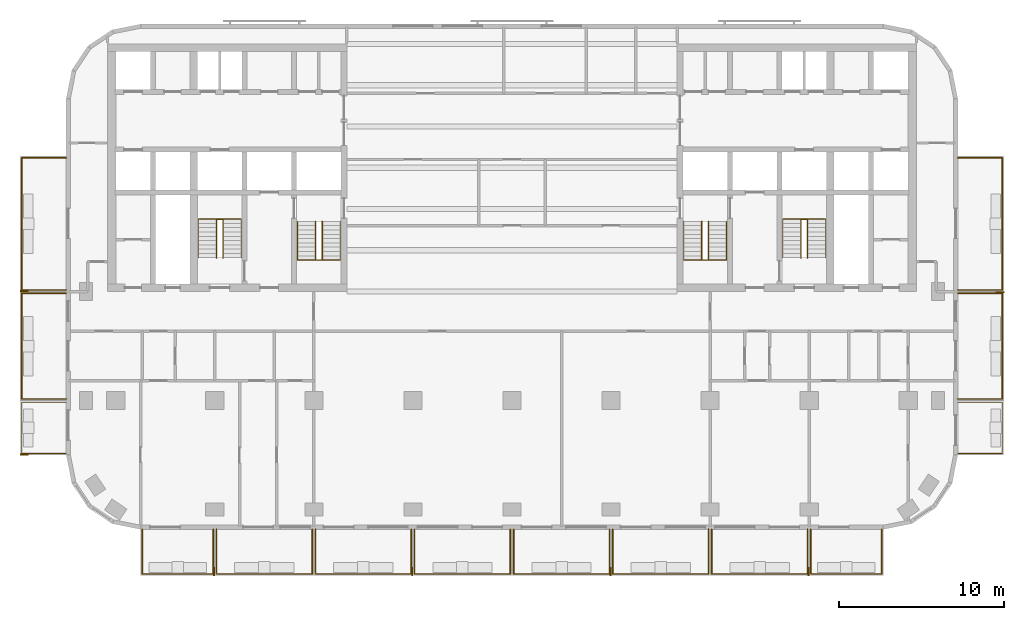
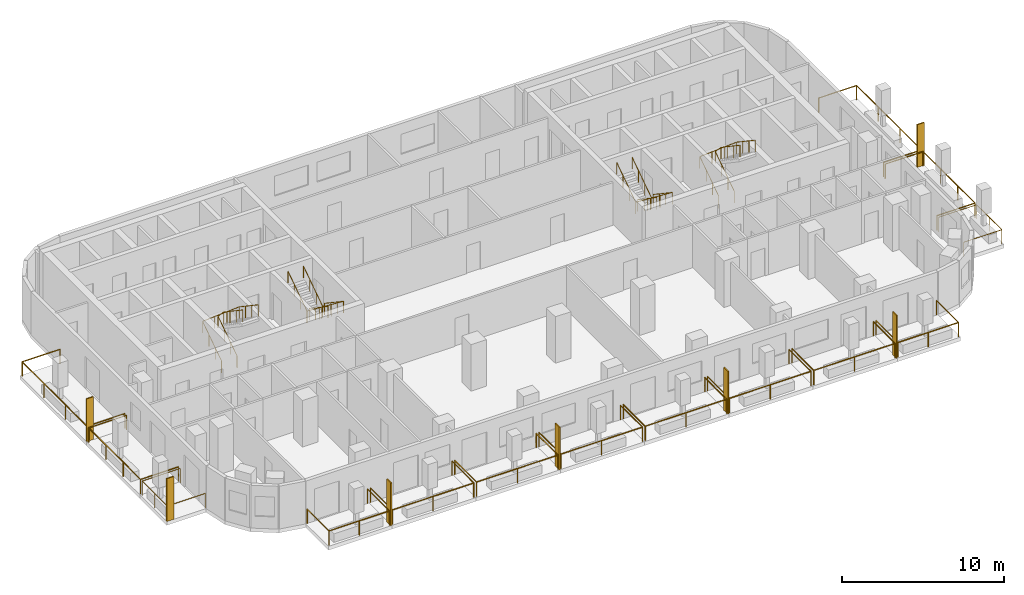
# One storey, part 9 of 11: 22 railings, 7 shading devices.
"""IFC4 building model written with IfcOpenShell, lengths in metres."""

from ifc_helpers import new_model, si_unit, direction, frame, origin, origin_2d, place, context, subcontext, project, spatial, rectangle, circle, extrude, material, layer, layer_set, type_object, element, save


model = new_model("IFC4")

# Units and contexts
model_context = context("Model", 3, precision=1e-05, world=origin(), true_north=direction((0.0, 1.0)))
body_context = subcontext(model_context, "Body", "Model", "MODEL_VIEW")
ifc_project = project(units=[si_unit("LENGTHUNIT", "METRE"), si_unit("AREAUNIT", "SQUARE_METRE"), si_unit("VOLUMEUNIT", "CUBIC_METRE"), si_unit("PLANEANGLEUNIT", "RADIAN"), si_unit("MASSUNIT", "GRAM", prefix="KILO")], contexts=[model_context])

# Site, building, storey
site_placement = place(None, origin())
site = spatial("IfcSite", under=ifc_project, at=site_placement, CompositionType="ELEMENT")
building_placement = place(site_placement, origin())
building = spatial("IfcBuilding", under=site, at=building_placement, Name="Torana Hotel and Residences", CompositionType="ELEMENT")
storey_placement = place(building_placement, frame((0.0, 0.0, 204.60009765625)))
storey = spatial("IfcBuildingStorey", under=building, at=storey_placement, Name="L53", CompositionType="ELEMENT", Elevation=204.60009765625)

# Shading devices
ifc_material_1 = material(Name="Black powder coated aluminium", Category="aluminium")
ifc_layer = layer(ifc_material_1, 0.080078125)
ifc_layer_set = layer_set([ifc_layer], Name="FN1 VERTICAL FIN 500x80")
shading_device_type = type_object("IfcShadingDeviceType", Name="FN1 VERTICAL FIN 500x80", PredefinedType="USERDEFINED", material=ifc_layer_set)
for number, where, z_axis, x_axis, name in (
    (1, (-18.0400390625, -31.949951171875, 0.0), (0.0, 0.0, 1.0), (-1.0, 0.0, 0.0), "Fin 01"),
    (2, (-6.0400390625, -31.949951171875, 0.0), (0.0, 0.0, 1.0), (-1.0, 0.0, 0.0), "Fin 03"),
    (3, (5.9599609375, -31.949951171875, 0.0), (0.0, 0.0, 1.0), (-1.0, 0.0, 0.0), "Fin 05"),
    (4, (17.9599609375, -31.949951171875, 0.0), (0.0, 0.0, 1.0), (-1.0, 0.0, 0.0), "Fin 07"),
    (5, (-29.550048828125, -24.860107421875, 0.0), (0.0, 0.0, 1.0), (0.0, 1.0, 0.0), "Fin 09"),
    (6, (-29.550048828125, -14.9599609375, 0.0), (0.0, 0.0, 1.0), (0.0, 1.0, 0.0), "Fin 11"),
    (7, (29.550048828125, -15.0400390625, 0.0), (0.0, 0.0, 1.0), (0.0, -1.0, 0.0), "Fin 13"),
):
    element("IfcShadingDevice", number, at=place(storey_placement, frame(where, z_axis=z_axis, x_axis=x_axis)), inside=storey, type_object=shading_device_type, Name=name, ObjectType="FIN", PredefinedType="USERDEFINED", context=body_context, shape_type="SweptSolid", body=[
        extrude(rectangle(XDim=0.080078125, YDim=0.5, at=origin_2d()), origin(), (0.0, 0.0, 1.0), 3.219970703125),
    ])

# Railings
ifc_material_2 = material(Name="Laminated glass balustrade with black handrail", Category="glass")
railing_type_1 = type_object("IfcRailingType", Name="GR1 BALCONY GUARD 1100 GLASS", PredefinedType="GUARDRAIL", material=ifc_material_2)
railing_1_placement = place(storey_placement, frame((-18.10009765625, -29.39990234375, 0.0)))
element("IfcRailing", 8, at=railing_1_placement, inside=storey, type_object=railing_type_1, Name="Balcony guard 01", PredefinedType="GUARDRAIL", context=body_context, shape_type="SweptSolid", body=[
    extrude(circle(Radius=0.02392578125, at=origin_2d()), frame((0.0, 0.0, 1.076171875), z_axis=(0.0, -1.0, 0.0), x_axis=(1.0, 0.0, 0.0)), (0.0, 0.0, 1.0), 2.7001953125),
    extrude(circle(Radius=0.02392578125, at=origin_2d()), frame((0.0, -2.7001953125, 1.076171875), z_axis=(-1.0, 0.0, 0.0), x_axis=(0.0, -1.0, 0.0)), (0.0, 0.0, 1.0), 4.2998046875),
    extrude(circle(Radius=0.02392578125, at=origin_2d()), frame((-4.2998046875, -2.7001953125, 1.076171875), z_axis=(0.0, 1.0, 0.0), x_axis=(-1.0, 0.0, 0.0)), (0.0, 0.0, 1.0), 2.7001953125),
    extrude(circle(Radius=0.02099609375, at=origin_2d()), origin(), (0.0, 0.0, 1.0), 1.052001953125),
    extrude(circle(Radius=0.02099609375, at=origin_2d()), frame((0.0, -2.7001953125, 0.0)), (0.0, 0.0, 1.0), 1.052001953125),
    extrude(circle(Radius=0.02099609375, at=origin_2d()), frame((-2.14990234375, -2.7001953125, 0.0)), (0.0, 0.0, 1.0), 1.052001953125),
    extrude(circle(Radius=0.02099609375, at=origin_2d()), frame((-4.2998046875, -2.7001953125, 0.0)), (0.0, 0.0, 1.0), 1.052001953125),
    extrude(circle(Radius=0.02099609375, at=origin_2d()), frame((-4.2998046875, 0.0, 0.0)), (0.0, 0.0, 1.0), 1.052001953125),
])
for number, where, name in (
    (9, (-12.10009765625, -29.39990234375, 0.0), "Balcony guard 02"),
    (10, (-6.10009765625, -29.39990234375, 0.0), "Balcony guard 03"),
    (11, (-0.10009765625, -29.39990234375, 0.0), "Balcony guard 04"),
    (12, (5.89990234375, -29.39990234375, 0.0), "Balcony guard 05"),
    (13, (11.89990234375, -29.39990234375, 0.0), "Balcony guard 06"),
    (14, (17.89990234375, -29.39990234375, 0.0), "Balcony guard 07"),
):
    element("IfcRailing", number, at=place(storey_placement, frame(where)), inside=storey, type_object=railing_type_1, Name=name, PredefinedType="GUARDRAIL", context=body_context, shape_type="SweptSolid", body=[
        extrude(circle(Radius=0.02392578125, at=origin_2d()), frame((0.0, 0.0, 1.076171875), z_axis=(0.0, -1.0, 0.0), x_axis=(1.0, 0.0, 0.0)), (0.0, 0.0, 1.0), 2.7001953125),
        extrude(circle(Radius=0.02392578125, at=origin_2d()), frame((0.0, -2.7001953125, 1.076171875), z_axis=(-1.0, 0.0, 0.0), x_axis=(0.0, -1.0, 0.0)), (0.0, 0.0, 1.0), 5.7998046875),
        extrude(circle(Radius=0.02392578125, at=origin_2d()), frame((-5.7998046875, -2.7001953125, 1.076171875), z_axis=(0.0, 1.0, 0.0), x_axis=(-1.0, 0.0, 0.0)), (0.0, 0.0, 1.0), 2.7001953125),
        extrude(circle(Radius=0.02099609375, at=origin_2d()), origin(), (0.0, 0.0, 1.0), 1.052001953125),
        extrude(circle(Radius=0.02099609375, at=origin_2d()), frame((0.0, -2.7001953125, 0.0)), (0.0, 0.0, 1.0), 1.052001953125),
        extrude(circle(Radius=0.02099609375, at=origin_2d()), frame((-2.89990234375, -2.7001953125, 0.0)), (0.0, 0.0, 1.0), 1.052001953125),
        extrude(circle(Radius=0.02099609375, at=origin_2d()), frame((-5.7998046875, -2.7001953125, 0.0)), (0.0, 0.0, 1.0), 1.052001953125),
        extrude(circle(Radius=0.02099609375, at=origin_2d()), frame((-5.7998046875, 0.0, 0.0)), (0.0, 0.0, 1.0), 1.052001953125),
    ])
railing_2_placement = place(storey_placement, frame((22.39990234375, -29.39990234375, 0.0)))
element("IfcRailing", 15, at=railing_2_placement, inside=storey, type_object=railing_type_1, Name="Balcony guard 08", PredefinedType="GUARDRAIL", context=body_context, shape_type="SweptSolid", body=[
    extrude(circle(Radius=0.02392578125, at=origin_2d()), frame((0.0, 0.0, 1.076171875), z_axis=(0.0, -1.0, 0.0), x_axis=(1.0, 0.0, 0.0)), (0.0, 0.0, 1.0), 2.7001953125),
    extrude(circle(Radius=0.02392578125, at=origin_2d()), frame((0.0, -2.7001953125, 1.076171875), z_axis=(-1.0, 0.0, 0.0), x_axis=(0.0, -1.0, 0.0)), (0.0, 0.0, 1.0), 4.2998046875),
    extrude(circle(Radius=0.02392578125, at=origin_2d()), frame((-4.2998046875, -2.7001953125, 1.076171875), z_axis=(0.0, 1.0, 0.0), x_axis=(-1.0, 0.0, 0.0)), (0.0, 0.0, 1.0), 2.7001953125),
    extrude(circle(Radius=0.02099609375, at=origin_2d()), origin(), (0.0, 0.0, 1.0), 1.052001953125),
    extrude(circle(Radius=0.02099609375, at=origin_2d()), frame((0.0, -2.7001953125, 0.0)), (0.0, 0.0, 1.0), 1.052001953125),
    extrude(circle(Radius=0.02099609375, at=origin_2d()), frame((-2.14990234375, -2.7001953125, 0.0)), (0.0, 0.0, 1.0), 1.052001953125),
    extrude(circle(Radius=0.02099609375, at=origin_2d()), frame((-4.2998046875, -2.7001953125, 0.0)), (0.0, 0.0, 1.0), 1.052001953125),
    extrude(circle(Radius=0.02099609375, at=origin_2d()), frame((-4.2998046875, 0.0, 0.0)), (0.0, 0.0, 1.0), 1.052001953125),
])
railing_3_placement = place(storey_placement, frame((-27.0, -24.800048828125, 0.0)))
element("IfcRailing", 16, at=railing_3_placement, inside=storey, type_object=railing_type_1, Name="Balcony guard 09", PredefinedType="GUARDRAIL", context=body_context, shape_type="SweptSolid", body=[
    extrude(circle(Radius=0.02392578125, at=origin_2d()), frame((0.0, 0.0, 1.076171875), z_axis=(-1.0, 0.0, 0.0), x_axis=(0.0, -1.0, 0.0)), (0.0, 0.0, 1.0), 2.699951171875),
    extrude(circle(Radius=0.02392578125, at=origin_2d()), frame((-2.699951171875, 0.0, 1.076171875), z_axis=(0.0, 1.0, 0.0), x_axis=(-1.0, 0.0, 0.0)), (0.0, 0.0, 1.0), 3.10009765625),
    extrude(circle(Radius=0.02392578125, at=origin_2d()), frame((-2.699951171875, 3.10009765625, 1.076171875), z_axis=(1.0, 0.0, 0.0), x_axis=(0.0, 1.0, 0.0)), (0.0, 0.0, 1.0), 2.699951171875),
    extrude(circle(Radius=0.02099609375, at=origin_2d()), origin(), (0.0, 0.0, 1.0), 1.052001953125),
    extrude(circle(Radius=0.02099609375, at=origin_2d()), frame((-2.699951171875, 0.0, 0.0)), (0.0, 0.0, 1.0), 1.052001953125),
    extrude(circle(Radius=0.02099609375, at=origin_2d()), frame((-2.699951171875, 1.550048828125, 0.0)), (0.0, 0.0, 1.0), 1.052001953125),
    extrude(circle(Radius=0.02099609375, at=origin_2d()), frame((-2.699951171875, 3.10009765625, 0.0)), (0.0, 0.0, 1.0), 1.052001953125),
    extrude(circle(Radius=0.02099609375, at=origin_2d()), frame((0.0, 3.10009765625, 0.0)), (0.0, 0.0, 1.0), 1.052001953125),
])
railing_4_placement = place(storey_placement, frame((-27.0, -21.5, 0.0)))
element("IfcRailing", 17, at=railing_4_placement, inside=storey, type_object=railing_type_1, Name="Balcony guard 10", PredefinedType="GUARDRAIL", context=body_context, shape_type="SweptSolid", body=[
    extrude(circle(Radius=0.02392578125, at=origin_2d()), frame((0.0, 0.0, 1.076171875), z_axis=(-1.0, 0.0, 0.0), x_axis=(0.0, -1.0, 0.0)), (0.0, 0.0, 1.0), 2.699951171875),
    extrude(circle(Radius=0.02392578125, at=origin_2d()), frame((-2.699951171875, 0.0, 1.076171875), z_axis=(0.0, 1.0, 0.0), x_axis=(-1.0, 0.0, 0.0)), (0.0, 0.0, 1.0), 6.39990234375),
    extrude(circle(Radius=0.02392578125, at=origin_2d()), frame((-2.699951171875, 6.39990234375, 1.076171875), z_axis=(1.0, 0.0, 0.0), x_axis=(0.0, 1.0, 0.0)), (0.0, 0.0, 1.0), 2.699951171875),
    extrude(circle(Radius=0.02099609375, at=origin_2d()), origin(), (0.0, 0.0, 1.0), 1.052001953125),
    extrude(circle(Radius=0.02099609375, at=origin_2d()), frame((-2.699951171875, 0.0, 0.0)), (0.0, 0.0, 1.0), 1.052001953125),
    extrude(circle(Radius=0.02099609375, at=origin_2d()), frame((-2.699951171875, 2.13330078125, 0.0)), (0.0, 0.0, 1.0), 1.052001953125),
    extrude(circle(Radius=0.02099609375, at=origin_2d()), frame((-2.699951171875, 4.2666015625, 0.0)), (0.0, 0.0, 1.0), 1.052001953125),
    extrude(circle(Radius=0.02099609375, at=origin_2d()), frame((-2.699951171875, 6.39990234375, 0.0)), (0.0, 0.0, 1.0), 1.052001953125),
    extrude(circle(Radius=0.02099609375, at=origin_2d()), frame((0.0, 6.39990234375, 0.0)), (0.0, 0.0, 1.0), 1.052001953125),
])
railing_5_placement = place(storey_placement, frame((-27.0, -14.89990234375, 0.0)))
element("IfcRailing", 18, at=railing_5_placement, inside=storey, type_object=railing_type_1, Name="Balcony guard 11", PredefinedType="GUARDRAIL", context=body_context, shape_type="SweptSolid", body=[
    extrude(circle(Radius=0.02392578125, at=origin_2d()), frame((0.0, 0.0, 1.076171875), z_axis=(-1.0, 0.0, 0.0), x_axis=(0.0, -1.0, 0.0)), (0.0, 0.0, 1.0), 2.699951171875),
    extrude(circle(Radius=0.02392578125, at=origin_2d()), frame((-2.699951171875, 0.0, 1.076171875), z_axis=(0.0, 1.0, 0.0), x_axis=(-1.0, 0.0, 0.0)), (0.0, 0.0, 1.0), 8.0),
    extrude(circle(Radius=0.02392578125, at=origin_2d()), frame((-2.699951171875, 8.0, 1.076171875), z_axis=(1.0, 0.0, 0.0), x_axis=(0.0, 1.0, 0.0)), (0.0, 0.0, 1.0), 2.699951171875),
    extrude(circle(Radius=0.02099609375, at=origin_2d()), origin(), (0.0, 0.0, 1.0), 1.052001953125),
    extrude(circle(Radius=0.02099609375, at=origin_2d()), frame((-2.699951171875, 0.0, 0.0)), (0.0, 0.0, 1.0), 1.052001953125),
    extrude(circle(Radius=0.02099609375, at=origin_2d()), frame((-2.699951171875, 2.666748046875, 0.0)), (0.0, 0.0, 1.0), 1.052001953125),
    extrude(circle(Radius=0.02099609375, at=origin_2d()), frame((-2.699951171875, 5.333251953125, 0.0)), (0.0, 0.0, 1.0), 1.052001953125),
    extrude(circle(Radius=0.02099609375, at=origin_2d()), frame((-2.699951171875, 8.0, 0.0)), (0.0, 0.0, 1.0), 1.052001953125),
    extrude(circle(Radius=0.02099609375, at=origin_2d()), frame((0.0, 8.0, 0.0)), (0.0, 0.0, 1.0), 1.052001953125),
])
railing_6_placement = place(storey_placement, frame((27.0, -21.699951171875, 0.0)))
element("IfcRailing", 19, at=railing_6_placement, inside=storey, type_object=railing_type_1, Name="Balcony guard 12", PredefinedType="GUARDRAIL", context=body_context, shape_type="SweptSolid", body=[
    extrude(circle(Radius=0.02392578125, at=origin_2d()), frame((0.0, 0.0, 1.076171875), z_axis=(1.0, 0.0, 0.0), x_axis=(0.0, 1.0, 0.0)), (0.0, 0.0, 1.0), 2.699951171875),
    extrude(circle(Radius=0.02392578125, at=origin_2d()), frame((2.699951171875, 0.0, 1.076171875), z_axis=(0.0, -1.0, 0.0), x_axis=(1.0, 0.0, 0.0)), (0.0, 0.0, 1.0), 3.10009765625),
    extrude(circle(Radius=0.02392578125, at=origin_2d()), frame((2.699951171875, -3.10009765625, 1.076171875), z_axis=(-1.0, 0.0, 0.0), x_axis=(0.0, -1.0, 0.0)), (0.0, 0.0, 1.0), 2.699951171875),
    extrude(circle(Radius=0.02099609375, at=origin_2d()), origin(), (0.0, 0.0, 1.0), 1.052001953125),
    extrude(circle(Radius=0.02099609375, at=origin_2d()), frame((2.699951171875, 0.0, 0.0)), (0.0, 0.0, 1.0), 1.052001953125),
    extrude(circle(Radius=0.02099609375, at=origin_2d()), frame((2.699951171875, -1.550048828125, 0.0)), (0.0, 0.0, 1.0), 1.052001953125),
    extrude(circle(Radius=0.02099609375, at=origin_2d()), frame((2.699951171875, -3.10009765625, 0.0)), (0.0, 0.0, 1.0), 1.052001953125),
    extrude(circle(Radius=0.02099609375, at=origin_2d()), frame((0.0, -3.10009765625, 0.0)), (0.0, 0.0, 1.0), 1.052001953125),
])
railing_7_placement = place(storey_placement, frame((27.0, -15.10009765625, 0.0)))
element("IfcRailing", 20, at=railing_7_placement, inside=storey, type_object=railing_type_1, Name="Balcony guard 13", PredefinedType="GUARDRAIL", context=body_context, shape_type="SweptSolid", body=[
    extrude(circle(Radius=0.02392578125, at=origin_2d()), frame((0.0, 0.0, 1.076171875), z_axis=(1.0, 0.0, 0.0), x_axis=(0.0, 1.0, 0.0)), (0.0, 0.0, 1.0), 2.699951171875),
    extrude(circle(Radius=0.02392578125, at=origin_2d()), frame((2.699951171875, 0.0, 1.076171875), z_axis=(0.0, -1.0, 0.0), x_axis=(1.0, 0.0, 0.0)), (0.0, 0.0, 1.0), 6.39990234375),
    extrude(circle(Radius=0.02392578125, at=origin_2d()), frame((2.699951171875, -6.39990234375, 1.076171875), z_axis=(-1.0, 0.0, 0.0), x_axis=(0.0, -1.0, 0.0)), (0.0, 0.0, 1.0), 2.699951171875),
    extrude(circle(Radius=0.02099609375, at=origin_2d()), origin(), (0.0, 0.0, 1.0), 1.052001953125),
    extrude(circle(Radius=0.02099609375, at=origin_2d()), frame((2.699951171875, 0.0, 0.0)), (0.0, 0.0, 1.0), 1.052001953125),
    extrude(circle(Radius=0.02099609375, at=origin_2d()), frame((2.699951171875, -2.13330078125, 0.0)), (0.0, 0.0, 1.0), 1.052001953125),
    extrude(circle(Radius=0.02099609375, at=origin_2d()), frame((2.699951171875, -4.2666015625, 0.0)), (0.0, 0.0, 1.0), 1.052001953125),
    extrude(circle(Radius=0.02099609375, at=origin_2d()), frame((2.699951171875, -6.39990234375, 0.0)), (0.0, 0.0, 1.0), 1.052001953125),
    extrude(circle(Radius=0.02099609375, at=origin_2d()), frame((0.0, -6.39990234375, 0.0)), (0.0, 0.0, 1.0), 1.052001953125),
])
railing_8_placement = place(storey_placement, frame((27.0, -6.89990234375, 0.0)))
element("IfcRailing", 21, at=railing_8_placement, inside=storey, type_object=railing_type_1, Name="Balcony guard 14", PredefinedType="GUARDRAIL", context=body_context, shape_type="SweptSolid", body=[
    extrude(circle(Radius=0.02392578125, at=origin_2d()), frame((0.0, 0.0, 1.076171875), z_axis=(1.0, 0.0, 0.0), x_axis=(0.0, 1.0, 0.0)), (0.0, 0.0, 1.0), 2.699951171875),
    extrude(circle(Radius=0.02392578125, at=origin_2d()), frame((2.699951171875, 0.0, 1.076171875), z_axis=(0.0, -1.0, 0.0), x_axis=(1.0, 0.0, 0.0)), (0.0, 0.0, 1.0), 8.0),
    extrude(circle(Radius=0.02392578125, at=origin_2d()), frame((2.699951171875, -8.0, 1.076171875), z_axis=(-1.0, 0.0, 0.0), x_axis=(0.0, -1.0, 0.0)), (0.0, 0.0, 1.0), 2.699951171875),
    extrude(circle(Radius=0.02099609375, at=origin_2d()), origin(), (0.0, 0.0, 1.0), 1.052001953125),
    extrude(circle(Radius=0.02099609375, at=origin_2d()), frame((2.699951171875, 0.0, 0.0)), (0.0, 0.0, 1.0), 1.052001953125),
    extrude(circle(Radius=0.02099609375, at=origin_2d()), frame((2.699951171875, -2.666748046875, 0.0)), (0.0, 0.0, 1.0), 1.052001953125),
    extrude(circle(Radius=0.02099609375, at=origin_2d()), frame((2.699951171875, -5.333251953125, 0.0)), (0.0, 0.0, 1.0), 1.052001953125),
    extrude(circle(Radius=0.02099609375, at=origin_2d()), frame((2.699951171875, -8.0, 0.0)), (0.0, 0.0, 1.0), 1.052001953125),
    extrude(circle(Radius=0.02099609375, at=origin_2d()), frame((0.0, -8.0, 0.0)), (0.0, 0.0, 1.0), 1.052001953125),
])
ifc_material_3 = material(Name="Stainless steel 316", Category="steel")
railing_type_2 = type_object("IfcRailingType", Name="STAIR HANDRAIL HR1 900", PredefinedType="HANDRAIL", material=ifc_material_3)
railing_9_placement = place(storey_placement, frame((-10.39990234375, -10.75, 0.1748046875)))
element("IfcRailing", 22, at=railing_9_placement, inside=storey, type_object=railing_type_2, Name="Handrail ST1 L53 O1", PredefinedType="HANDRAIL", context=body_context, shape_type="SweptSolid", body=[
    extrude(circle(Radius=0.02392578125, at=origin_2d()), frame((0.0, 0.0, 0.8759765625), z_axis=(0.0, -0.829565388462, 0.558409586474), x_axis=(1.0, 0.0, 0.0)), (0.0, 0.0, 1.0), 2.82080078125),
    extrude(circle(Radius=0.02392578125, at=origin_2d()), frame((0.0, -2.340087890625, 2.451171875), z_axis=(-0.997747692642, 0.0, 0.067078624219), x_axis=(0.0, -1.0, 0.0)), (0.0, 0.0, 1.0), 2.60595703125),
    extrude(circle(Radius=0.02392578125, at=origin_2d()), frame((-2.60009765625, -2.340087890625, 2.6259765625), z_axis=(0.0, 0.829565388462, 0.558409586474), x_axis=(-1.0, 0.0, 0.0)), (0.0, 0.0, 1.0), 2.82080078125),
    extrude(circle(Radius=0.02099609375, at=origin_2d()), origin(), (0.0, 0.0, 1.0), 0.851806640625),
    extrude(circle(Radius=0.02099609375, at=origin_2d()), frame((0.0, -0.780029296875, 0.525146484375)), (0.0, 0.0, 1.0), 0.851806640625),
    extrude(circle(Radius=0.02099609375, at=origin_2d()), frame((0.0, -1.56005859375, 1.050048828125)), (0.0, 0.0, 1.0), 0.851806640625),
    extrude(circle(Radius=0.02099609375, at=origin_2d()), frame((0.0, -2.340087890625, 1.5751953125)), (0.0, 0.0, 1.0), 0.851806640625),
    extrude(circle(Radius=0.02099609375, at=origin_2d()), frame((-0.86669921875, -2.340087890625, 1.633544921875)), (0.0, 0.0, 1.0), 0.851806640625),
    extrude(circle(Radius=0.02099609375, at=origin_2d()), frame((-1.7333984375, -2.340087890625, 1.691650390625)), (0.0, 0.0, 1.0), 0.851806640625),
    extrude(circle(Radius=0.02099609375, at=origin_2d()), frame((-2.60009765625, -2.340087890625, 1.75)), (0.0, 0.0, 1.0), 0.851806640625),
    extrude(circle(Radius=0.02099609375, at=origin_2d()), frame((-2.60009765625, -1.56005859375, 2.275146484375)), (0.0, 0.0, 1.0), 0.851806640625),
    extrude(circle(Radius=0.02099609375, at=origin_2d()), frame((-2.60009765625, -0.780029296875, 2.800048828125)), (0.0, 0.0, 1.0), 0.851806640625),
    extrude(circle(Radius=0.02099609375, at=origin_2d()), frame((-2.60009765625, 0.0, 3.3251953125)), (0.0, 0.0, 1.0), 0.851806640625),
])
railing_10_placement = place(storey_placement, frame((-11.5, -10.75, 0.1748046875)))
element("IfcRailing", 23, at=railing_10_placement, inside=storey, type_object=railing_type_2, Name="Handrail ST1 L53 I1", PredefinedType="HANDRAIL", context=body_context, shape_type="SweptSolid", body=[
    extrude(circle(Radius=0.02392578125, at=origin_2d()), frame((0.0, 0.0, 0.8759765625), z_axis=(0.0, -0.829565388462, 0.558409586474), x_axis=(1.0, 0.0, 0.0)), (0.0, 0.0, 1.0), 2.82080078125),
    extrude(circle(Radius=0.02392578125, at=origin_2d()), frame((0.0, -2.340087890625, 2.451171875), z_axis=(-0.916285673175, 0.0, 0.400525361412), x_axis=(0.0, -1.0, 0.0)), (0.0, 0.0, 1.0), 0.4365234375),
    extrude(circle(Radius=0.02392578125, at=origin_2d()), frame((-0.39990234375, -2.340087890625, 2.6259765625), z_axis=(0.0, 0.829565388462, 0.558409586474), x_axis=(-1.0, 0.0, 0.0)), (0.0, 0.0, 1.0), 2.82080078125),
    extrude(circle(Radius=0.02099609375, at=origin_2d()), origin(), (0.0, 0.0, 1.0), 0.851806640625),
    extrude(circle(Radius=0.02099609375, at=origin_2d()), frame((0.0, -0.780029296875, 0.525146484375)), (0.0, 0.0, 1.0), 0.851806640625),
    extrude(circle(Radius=0.02099609375, at=origin_2d()), frame((0.0, -1.56005859375, 1.050048828125)), (0.0, 0.0, 1.0), 0.851806640625),
    extrude(circle(Radius=0.02099609375, at=origin_2d()), frame((0.0, -2.340087890625, 1.5751953125)), (0.0, 0.0, 1.0), 0.851806640625),
    extrude(circle(Radius=0.02099609375, at=origin_2d()), frame((-0.39990234375, -2.340087890625, 1.75)), (0.0, 0.0, 1.0), 0.851806640625),
    extrude(circle(Radius=0.02099609375, at=origin_2d()), frame((-0.39990234375, -1.56005859375, 2.275146484375)), (0.0, 0.0, 1.0), 0.851806640625),
    extrude(circle(Radius=0.02099609375, at=origin_2d()), frame((-0.39990234375, -0.780029296875, 2.800048828125)), (0.0, 0.0, 1.0), 0.851806640625),
    extrude(circle(Radius=0.02099609375, at=origin_2d()), frame((-0.39990234375, 0.0, 3.3251953125)), (0.0, 0.0, 1.0), 0.851806640625),
])
railing_11_placement = place(storey_placement, frame((-19.0, -12.949951171875, 0.1748046875)))
element("IfcRailing", 24, at=railing_11_placement, inside=storey, type_object=railing_type_2, Name="Handrail ST2 L53 O1", PredefinedType="HANDRAIL", context=body_context, shape_type="SweptSolid", body=[
    extrude(circle(Radius=0.02392578125, at=origin_2d()), frame((0.0, 0.0, 0.8759765625), z_axis=(0.0, 0.829538397957, 0.558449681095), x_axis=(-1.0, 0.0, 0.0)), (0.0, 0.0, 1.0), 2.820556640625),
    extrude(circle(Radius=0.02392578125, at=origin_2d()), frame((0.0, 2.33984375, 2.451171875), z_axis=(0.997747692642, 0.0, 0.067078624219), x_axis=(0.0, 1.0, 0.0)), (0.0, 0.0, 1.0), 2.60595703125),
    extrude(circle(Radius=0.02392578125, at=origin_2d()), frame((2.60009765625, 2.33984375, 2.6259765625), z_axis=(0.0, -0.829538397957, 0.558449681095), x_axis=(1.0, 0.0, 0.0)), (0.0, 0.0, 1.0), 2.820556640625),
    extrude(circle(Radius=0.02099609375, at=origin_2d()), origin(), (0.0, 0.0, 1.0), 0.851806640625),
    extrude(circle(Radius=0.02099609375, at=origin_2d()), frame((0.0, 0.780029296875, 0.525146484375)), (0.0, 0.0, 1.0), 0.851806640625),
    extrude(circle(Radius=0.02099609375, at=origin_2d()), frame((0.0, 1.559814453125, 1.050048828125)), (0.0, 0.0, 1.0), 0.851806640625),
    extrude(circle(Radius=0.02099609375, at=origin_2d()), frame((0.0, 2.33984375, 1.5751953125)), (0.0, 0.0, 1.0), 0.851806640625),
    extrude(circle(Radius=0.02099609375, at=origin_2d()), frame((0.86669921875, 2.33984375, 1.633544921875)), (0.0, 0.0, 1.0), 0.851806640625),
    extrude(circle(Radius=0.02099609375, at=origin_2d()), frame((1.7333984375, 2.33984375, 1.691650390625)), (0.0, 0.0, 1.0), 0.851806640625),
    extrude(circle(Radius=0.02099609375, at=origin_2d()), frame((2.60009765625, 2.33984375, 1.75)), (0.0, 0.0, 1.0), 0.851806640625),
    extrude(circle(Radius=0.02099609375, at=origin_2d()), frame((2.60009765625, 1.559814453125, 2.275146484375)), (0.0, 0.0, 1.0), 0.851806640625),
    extrude(circle(Radius=0.02099609375, at=origin_2d()), frame((2.60009765625, 0.780029296875, 2.800048828125)), (0.0, 0.0, 1.0), 0.851806640625),
    extrude(circle(Radius=0.02099609375, at=origin_2d()), frame((2.60009765625, 0.0, 3.3251953125)), (0.0, 0.0, 1.0), 0.851806640625),
])
railing_12_placement = place(storey_placement, frame((-17.89990234375, -12.949951171875, 0.1748046875)))
element("IfcRailing", 25, at=railing_12_placement, inside=storey, type_object=railing_type_2, Name="Handrail ST2 L53 I1", PredefinedType="HANDRAIL", context=body_context, shape_type="SweptSolid", body=[
    extrude(circle(Radius=0.02392578125, at=origin_2d()), frame((0.0, 0.0, 0.8759765625), z_axis=(0.0, 0.829538397957, 0.558449681095), x_axis=(-1.0, 0.0, 0.0)), (0.0, 0.0, 1.0), 2.820556640625),
    extrude(circle(Radius=0.02392578125, at=origin_2d()), frame((0.0, 2.33984375, 2.451171875), z_axis=(0.916285673175, 0.0, 0.400525361412), x_axis=(0.0, 1.0, 0.0)), (0.0, 0.0, 1.0), 0.4365234375),
    extrude(circle(Radius=0.02392578125, at=origin_2d()), frame((0.39990234375, 2.33984375, 2.6259765625), z_axis=(0.0, -0.829538397957, 0.558449681095), x_axis=(1.0, 0.0, 0.0)), (0.0, 0.0, 1.0), 2.820556640625),
    extrude(circle(Radius=0.02099609375, at=origin_2d()), origin(), (0.0, 0.0, 1.0), 0.851806640625),
    extrude(circle(Radius=0.02099609375, at=origin_2d()), frame((0.0, 0.780029296875, 0.525146484375)), (0.0, 0.0, 1.0), 0.851806640625),
    extrude(circle(Radius=0.02099609375, at=origin_2d()), frame((0.0, 1.559814453125, 1.050048828125)), (0.0, 0.0, 1.0), 0.851806640625),
    extrude(circle(Radius=0.02099609375, at=origin_2d()), frame((0.0, 2.33984375, 1.5751953125)), (0.0, 0.0, 1.0), 0.851806640625),
    extrude(circle(Radius=0.02099609375, at=origin_2d()), frame((0.39990234375, 2.33984375, 1.75)), (0.0, 0.0, 1.0), 0.851806640625),
    extrude(circle(Radius=0.02099609375, at=origin_2d()), frame((0.39990234375, 1.559814453125, 2.275146484375)), (0.0, 0.0, 1.0), 0.851806640625),
    extrude(circle(Radius=0.02099609375, at=origin_2d()), frame((0.39990234375, 0.780029296875, 2.800048828125)), (0.0, 0.0, 1.0), 0.851806640625),
    extrude(circle(Radius=0.02099609375, at=origin_2d()), frame((0.39990234375, 0.0, 3.3251953125)), (0.0, 0.0, 1.0), 0.851806640625),
])
railing_13_placement = place(storey_placement, frame((13.0, -10.75, 0.1748046875)))
element("IfcRailing", 26, at=railing_13_placement, inside=storey, type_object=railing_type_2, Name="Handrail ST3 L53 O1", PredefinedType="HANDRAIL", context=body_context, shape_type="SweptSolid", body=[
    extrude(circle(Radius=0.02392578125, at=origin_2d()), frame((0.0, 0.0, 0.8759765625), z_axis=(0.0, -0.829565388462, 0.558409586474), x_axis=(1.0, 0.0, 0.0)), (0.0, 0.0, 1.0), 2.82080078125),
    extrude(circle(Radius=0.02392578125, at=origin_2d()), frame((0.0, -2.340087890625, 2.451171875), z_axis=(-0.997747692642, 0.0, 0.067078624219), x_axis=(0.0, -1.0, 0.0)), (0.0, 0.0, 1.0), 2.60595703125),
    extrude(circle(Radius=0.02392578125, at=origin_2d()), frame((-2.60009765625, -2.340087890625, 2.6259765625), z_axis=(0.0, 0.829565388462, 0.558409586474), x_axis=(-1.0, 0.0, 0.0)), (0.0, 0.0, 1.0), 2.82080078125),
    extrude(circle(Radius=0.02099609375, at=origin_2d()), origin(), (0.0, 0.0, 1.0), 0.851806640625),
    extrude(circle(Radius=0.02099609375, at=origin_2d()), frame((0.0, -0.780029296875, 0.525146484375)), (0.0, 0.0, 1.0), 0.851806640625),
    extrude(circle(Radius=0.02099609375, at=origin_2d()), frame((0.0, -1.56005859375, 1.050048828125)), (0.0, 0.0, 1.0), 0.851806640625),
    extrude(circle(Radius=0.02099609375, at=origin_2d()), frame((0.0, -2.340087890625, 1.5751953125)), (0.0, 0.0, 1.0), 0.851806640625),
    extrude(circle(Radius=0.02099609375, at=origin_2d()), frame((-0.86669921875, -2.340087890625, 1.633544921875)), (0.0, 0.0, 1.0), 0.851806640625),
    extrude(circle(Radius=0.02099609375, at=origin_2d()), frame((-1.7333984375, -2.340087890625, 1.691650390625)), (0.0, 0.0, 1.0), 0.851806640625),
    extrude(circle(Radius=0.02099609375, at=origin_2d()), frame((-2.60009765625, -2.340087890625, 1.75)), (0.0, 0.0, 1.0), 0.851806640625),
    extrude(circle(Radius=0.02099609375, at=origin_2d()), frame((-2.60009765625, -1.56005859375, 2.275146484375)), (0.0, 0.0, 1.0), 0.851806640625),
    extrude(circle(Radius=0.02099609375, at=origin_2d()), frame((-2.60009765625, -0.780029296875, 2.800048828125)), (0.0, 0.0, 1.0), 0.851806640625),
    extrude(circle(Radius=0.02099609375, at=origin_2d()), frame((-2.60009765625, 0.0, 3.3251953125)), (0.0, 0.0, 1.0), 0.851806640625),
])
railing_14_placement = place(storey_placement, frame((11.89990234375, -10.75, 0.1748046875)))
element("IfcRailing", 27, at=railing_14_placement, inside=storey, type_object=railing_type_2, Name="Handrail ST3 L53 I1", PredefinedType="HANDRAIL", context=body_context, shape_type="SweptSolid", body=[
    extrude(circle(Radius=0.02392578125, at=origin_2d()), frame((0.0, 0.0, 0.8759765625), z_axis=(0.0, -0.829565388462, 0.558409586474), x_axis=(1.0, 0.0, 0.0)), (0.0, 0.0, 1.0), 2.82080078125),
    extrude(circle(Radius=0.02392578125, at=origin_2d()), frame((0.0, -2.340087890625, 2.451171875), z_axis=(-0.916285673175, 0.0, 0.400525361412), x_axis=(0.0, -1.0, 0.0)), (0.0, 0.0, 1.0), 0.4365234375),
    extrude(circle(Radius=0.02392578125, at=origin_2d()), frame((-0.39990234375, -2.340087890625, 2.6259765625), z_axis=(0.0, 0.829565388462, 0.558409586474), x_axis=(-1.0, 0.0, 0.0)), (0.0, 0.0, 1.0), 2.82080078125),
    extrude(circle(Radius=0.02099609375, at=origin_2d()), origin(), (0.0, 0.0, 1.0), 0.851806640625),
    extrude(circle(Radius=0.02099609375, at=origin_2d()), frame((0.0, -0.780029296875, 0.525146484375)), (0.0, 0.0, 1.0), 0.851806640625),
    extrude(circle(Radius=0.02099609375, at=origin_2d()), frame((0.0, -1.56005859375, 1.050048828125)), (0.0, 0.0, 1.0), 0.851806640625),
    extrude(circle(Radius=0.02099609375, at=origin_2d()), frame((0.0, -2.340087890625, 1.5751953125)), (0.0, 0.0, 1.0), 0.851806640625),
    extrude(circle(Radius=0.02099609375, at=origin_2d()), frame((-0.39990234375, -2.340087890625, 1.75)), (0.0, 0.0, 1.0), 0.851806640625),
    extrude(circle(Radius=0.02099609375, at=origin_2d()), frame((-0.39990234375, -1.56005859375, 2.275146484375)), (0.0, 0.0, 1.0), 0.851806640625),
    extrude(circle(Radius=0.02099609375, at=origin_2d()), frame((-0.39990234375, -0.780029296875, 2.800048828125)), (0.0, 0.0, 1.0), 0.851806640625),
    extrude(circle(Radius=0.02099609375, at=origin_2d()), frame((-0.39990234375, 0.0, 3.3251953125)), (0.0, 0.0, 1.0), 0.851806640625),
])
railing_15_placement = place(storey_placement, frame((16.39990234375, -12.949951171875, 0.1748046875)))
element("IfcRailing", 28, at=railing_15_placement, inside=storey, type_object=railing_type_2, Name="Handrail ST4 L53 O1", PredefinedType="HANDRAIL", context=body_context, shape_type="SweptSolid", body=[
    extrude(circle(Radius=0.02392578125, at=origin_2d()), frame((0.0, 0.0, 0.8759765625), z_axis=(0.0, 0.829538397957, 0.558449681095), x_axis=(-1.0, 0.0, 0.0)), (0.0, 0.0, 1.0), 2.820556640625),
    extrude(circle(Radius=0.02392578125, at=origin_2d()), frame((0.0, 2.33984375, 2.451171875), z_axis=(0.997747692642, 0.0, 0.067078624219), x_axis=(0.0, 1.0, 0.0)), (0.0, 0.0, 1.0), 2.60595703125),
    extrude(circle(Radius=0.02392578125, at=origin_2d()), frame((2.60009765625, 2.33984375, 2.6259765625), z_axis=(0.0, -0.829538397957, 0.558449681095), x_axis=(1.0, 0.0, 0.0)), (0.0, 0.0, 1.0), 2.820556640625),
    extrude(circle(Radius=0.02099609375, at=origin_2d()), origin(), (0.0, 0.0, 1.0), 0.851806640625),
    extrude(circle(Radius=0.02099609375, at=origin_2d()), frame((0.0, 0.780029296875, 0.525146484375)), (0.0, 0.0, 1.0), 0.851806640625),
    extrude(circle(Radius=0.02099609375, at=origin_2d()), frame((0.0, 1.559814453125, 1.050048828125)), (0.0, 0.0, 1.0), 0.851806640625),
    extrude(circle(Radius=0.02099609375, at=origin_2d()), frame((0.0, 2.33984375, 1.5751953125)), (0.0, 0.0, 1.0), 0.851806640625),
    extrude(circle(Radius=0.02099609375, at=origin_2d()), frame((0.86669921875, 2.33984375, 1.633544921875)), (0.0, 0.0, 1.0), 0.851806640625),
    extrude(circle(Radius=0.02099609375, at=origin_2d()), frame((1.7333984375, 2.33984375, 1.691650390625)), (0.0, 0.0, 1.0), 0.851806640625),
    extrude(circle(Radius=0.02099609375, at=origin_2d()), frame((2.60009765625, 2.33984375, 1.75)), (0.0, 0.0, 1.0), 0.851806640625),
    extrude(circle(Radius=0.02099609375, at=origin_2d()), frame((2.60009765625, 1.559814453125, 2.275146484375)), (0.0, 0.0, 1.0), 0.851806640625),
    extrude(circle(Radius=0.02099609375, at=origin_2d()), frame((2.60009765625, 0.780029296875, 2.800048828125)), (0.0, 0.0, 1.0), 0.851806640625),
    extrude(circle(Radius=0.02099609375, at=origin_2d()), frame((2.60009765625, 0.0, 3.3251953125)), (0.0, 0.0, 1.0), 0.851806640625),
])
railing_16_placement = place(storey_placement, frame((17.5, -12.949951171875, 0.1748046875)))
element("IfcRailing", 29, at=railing_16_placement, inside=storey, type_object=railing_type_2, Name="Handrail ST4 L53 I1", PredefinedType="HANDRAIL", context=body_context, shape_type="SweptSolid", body=[
    extrude(circle(Radius=0.02392578125, at=origin_2d()), frame((0.0, 0.0, 0.8759765625), z_axis=(0.0, 0.829538397957, 0.558449681095), x_axis=(-1.0, 0.0, 0.0)), (0.0, 0.0, 1.0), 2.820556640625),
    extrude(circle(Radius=0.02392578125, at=origin_2d()), frame((0.0, 2.33984375, 2.451171875), z_axis=(0.916285673175, 0.0, 0.400525361412), x_axis=(0.0, 1.0, 0.0)), (0.0, 0.0, 1.0), 0.4365234375),
    extrude(circle(Radius=0.02392578125, at=origin_2d()), frame((0.39990234375, 2.33984375, 2.6259765625), z_axis=(0.0, -0.829538397957, 0.558449681095), x_axis=(1.0, 0.0, 0.0)), (0.0, 0.0, 1.0), 2.820556640625),
    extrude(circle(Radius=0.02099609375, at=origin_2d()), origin(), (0.0, 0.0, 1.0), 0.851806640625),
    extrude(circle(Radius=0.02099609375, at=origin_2d()), frame((0.0, 0.780029296875, 0.525146484375)), (0.0, 0.0, 1.0), 0.851806640625),
    extrude(circle(Radius=0.02099609375, at=origin_2d()), frame((0.0, 1.559814453125, 1.050048828125)), (0.0, 0.0, 1.0), 0.851806640625),
    extrude(circle(Radius=0.02099609375, at=origin_2d()), frame((0.0, 2.33984375, 1.5751953125)), (0.0, 0.0, 1.0), 0.851806640625),
    extrude(circle(Radius=0.02099609375, at=origin_2d()), frame((0.39990234375, 2.33984375, 1.75)), (0.0, 0.0, 1.0), 0.851806640625),
    extrude(circle(Radius=0.02099609375, at=origin_2d()), frame((0.39990234375, 1.559814453125, 2.275146484375)), (0.0, 0.0, 1.0), 0.851806640625),
    extrude(circle(Radius=0.02099609375, at=origin_2d()), frame((0.39990234375, 0.780029296875, 2.800048828125)), (0.0, 0.0, 1.0), 0.851806640625),
    extrude(circle(Radius=0.02099609375, at=origin_2d()), frame((0.39990234375, 0.0, 3.3251953125)), (0.0, 0.0, 1.0), 0.851806640625),
])

save(model, "model.ifc")
